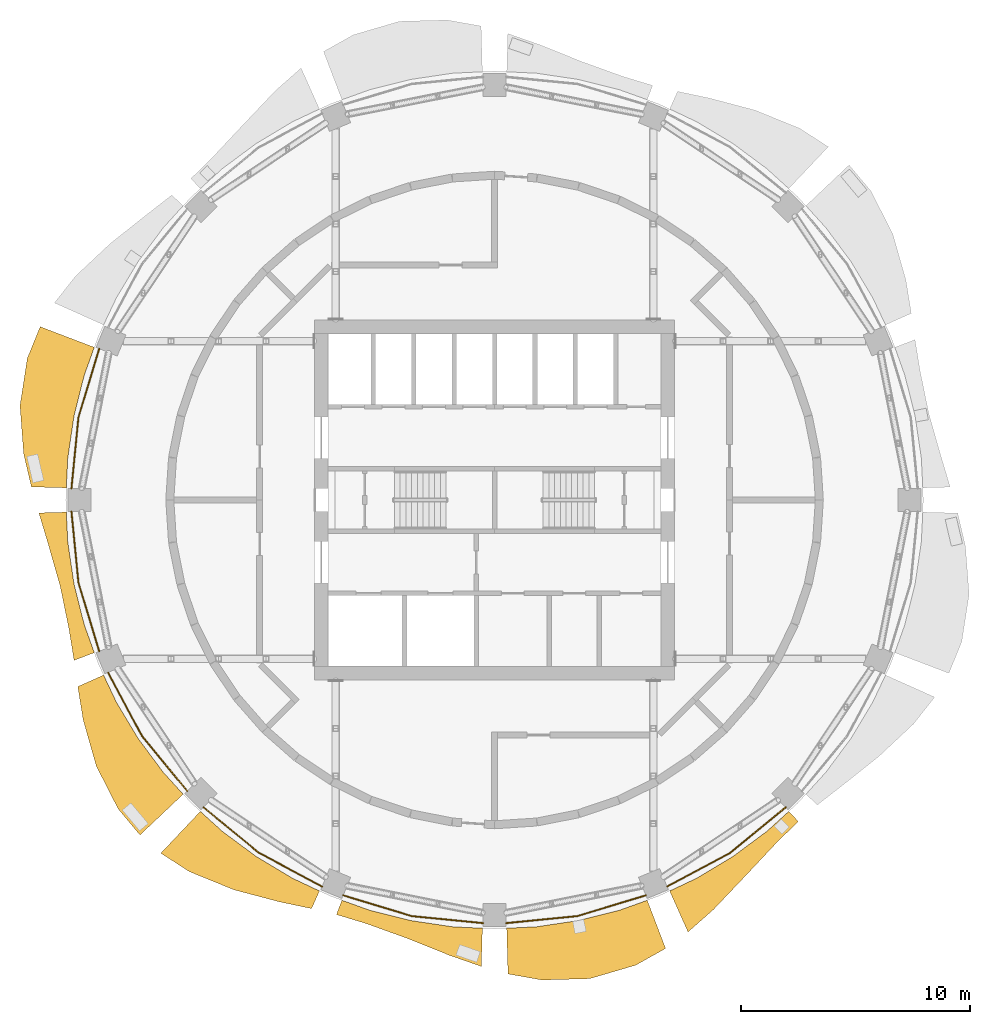
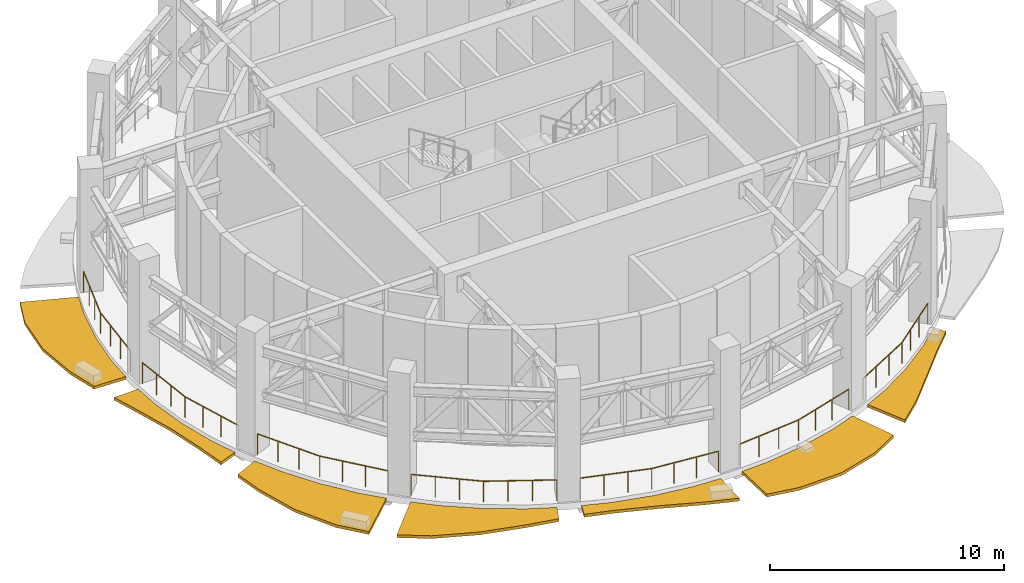
# One storey, part 11 of 14: 7 railings, 7 shading devices.
"""IFC4 building model written with IfcOpenShell, lengths in metres."""

import ifcopenshell
import ifcopenshell.guid

model = None  # the IFC model being written
_history = None  # IfcOwnerHistory: only IFC2X3 demands one
_inside = {}  # id of a spatial element -> (the spatial element, [elements in it])
_under = {}  # id of a project, library or spatial element -> (it, [spatial elements below it])
_declared = {}  # id of a project -> (the project, [libraries it declares])
_typed = {}  # id of a type object -> (the type object, [elements of that type])
_made_of = {}  # id of a material, layer set ... -> (it, [elements and type objects made of it])


def new_model(schema):
    """Start an empty IFC model of exactly this schema.

    Asked for "IFC4X3", IfcOpenShell would pick the latest addendum, in which some entities
    have other attributes; the version numbers below select the first issue.
    IFC2X3 requires an IfcOwnerHistory on every rooted entity: one is made here for all.
    """
    global model, _history
    if schema == "IFC4X3":
        model = ifcopenshell.file(schema_version=(4, 3, 0, 0))
    else:
        model = ifcopenshell.file(schema=schema)
    _inside.clear()
    _under.clear()
    _declared.clear()
    _typed.clear()
    _made_of.clear()
    _history = None
    if model.schema == "IFC2X3":
        org = make("IfcOrganization", Name="unknown")
        user = make(
            "IfcPersonAndOrganization",
            ThePerson=make("IfcPerson", FamilyName="unknown"),
            TheOrganization=org,
        )
        app = make(
            "IfcApplication",
            ApplicationDeveloper=org,
            Version="unknown",
            ApplicationFullName="unknown",
            ApplicationIdentifier="unknown",
        )
        _history = make(
            "IfcOwnerHistory",
            OwningUser=user,
            OwningApplication=app,
            ChangeAction="ADDED",
            CreationDate=0,
        )
    return model


def make(cls, **values):
    """One entity of the class cls with the attributes given. An attribute that is None is left unset."""
    return model.create_entity(
        cls, **{name: value for name, value in values.items() if value is not None}
    )


def rooted(cls, **values):
    """An entity with a GlobalId (a new one), such as an element, a storey or a relation."""
    return make(cls, GlobalId=ifcopenshell.guid.new(), OwnerHistory=_history, **values)


def si_unit(unit_type, name, prefix=None):
    """IfcSIUnit, for example si_unit("LENGTHUNIT", "METRE", prefix="MILLI")."""
    return make("IfcSIUnit", UnitType=unit_type, Prefix=prefix, Name=name)


def assignment(units):
    """IfcUnitAssignment: the units of a project."""
    return None if units is None else make("IfcUnitAssignment", Units=units)


def point(xyz):
    """IfcCartesianPoint."""
    return None if xyz is None else make("IfcCartesianPoint", Coordinates=xyz)


def direction(xyz):
    """IfcDirection."""
    return None if xyz is None else make("IfcDirection", DirectionRatios=xyz)


def frame(location, z_axis=None, x_axis=None):
    """IfcAxis2Placement3D, a coordinate frame: its origin and axes. An axis left out is left unset."""
    return make(
        "IfcAxis2Placement3D",
        Location=point(location),
        Axis=direction(z_axis),
        RefDirection=direction(x_axis),
    )


def frame_2d(location, x_axis=None):
    """IfcAxis2Placement2D, a coordinate frame in the plane: its origin and x axis."""
    return make(
        "IfcAxis2Placement2D", Location=point(location), RefDirection=direction(x_axis)
    )


def origin():
    """The frame at (0, 0, 0) with its axes left unset."""
    return frame((0.0, 0.0, 0.0))


def origin_2d():
    """The frame at (0, 0) in the plane with its x axis left unset."""
    return frame_2d((0.0, 0.0))


def place(relative_to, where):
    """IfcLocalPlacement: puts the frame where relative to a parent placement (None: the world)."""
    return make(
        "IfcLocalPlacement", PlacementRelTo=relative_to, RelativePlacement=where
    )


def context(
    kind, dimensions, precision=None, world=None, true_north=None, identifier=None
):
    """IfcGeometricRepresentationContext, for example the 3D "Model" context."""
    return make(
        "IfcGeometricRepresentationContext",
        ContextIdentifier=identifier,
        ContextType=kind,
        CoordinateSpaceDimension=dimensions,
        Precision=precision,
        WorldCoordinateSystem=world,
        TrueNorth=true_north,
    )


def subcontext(parent, identifier, kind, view, scale=None):
    """IfcGeometricRepresentationSubContext, for example "Body" below "Model"."""
    return make(
        "IfcGeometricRepresentationSubContext",
        ContextIdentifier=identifier,
        ContextType=kind,
        ParentContext=parent,
        TargetScale=scale,
        TargetView=view,
    )


def project(units=None, contexts=None):
    """IfcProject with its units and contexts."""
    return rooted(
        "IfcProject",
        Name="project",
        RepresentationContexts=contexts,
        UnitsInContext=assignment(units),
    )


def spatial(cls, under=None, at=None, **own):
    """A site, building, storey or space (cls), placed at a placement, below another one or the project."""
    s = rooted(cls, ObjectPlacement=at, **own)
    if under is not None:
        _under.setdefault(under.id(), (under, []))[1].append(s)
    return s


def polyline(points):
    """IfcPolyline through the points."""
    return make("IfcPolyline", Points=[point(p) for p in points])


def profile(cls, at=None, kind="AREA", **sizes):
    """A parametric profile (cls). Its sizes go by their IFC names, for example OverallWidth=200.0."""
    return make(cls, ProfileType=kind, Position=at, **sizes)


def circle(**sizes):
    """IfcCircleProfileDef."""
    return profile("IfcCircleProfileDef", **sizes)


def outline(outer, holes=None, kind="AREA"):
    """IfcArbitraryClosedProfileDef: a profile drawn as a closed curve; with holes, ...WithVoids."""
    if holes is None:
        return make("IfcArbitraryClosedProfileDef", ProfileType=kind, OuterCurve=outer)
    return make(
        "IfcArbitraryProfileDefWithVoids",
        ProfileType=kind,
        OuterCurve=outer,
        InnerCurves=holes,
    )


def extrude(swept, where, along, depth):
    """IfcExtrudedAreaSolid: the profile swept, set in the frame where, extruded along a direction by depth."""
    return make(
        "IfcExtrudedAreaSolid",
        SweptArea=swept,
        Position=where,
        ExtrudedDirection=direction(along),
        Depth=depth,
    )


def shape(context_of_items, identifier, shape_type, items):
    """IfcShapeRepresentation: the items that make up one representation, for example the "Body"."""
    return make(
        "IfcShapeRepresentation",
        ContextOfItems=context_of_items,
        RepresentationIdentifier=identifier,
        RepresentationType=shape_type,
        Items=items,
    )


def material(Name=None, Category=None):
    """IfcMaterial."""
    return make("IfcMaterial", Name=Name, Category=Category)


def made_of(thing, what):
    """Note that an element or type object is made of a material, layer set ...; save() writes the relation."""
    if what is not None:
        _made_of.setdefault(what.id(), (what, []))[1].append(thing)
    return thing


def type_object(cls, material=None, **own):
    """A type object (cls), such as IfcWallType, which elements share."""
    return made_of(rooted(cls, **own), material)


def element(
    cls,
    number,
    at=None,
    inside=None,
    cuts=None,
    type_object=None,
    material=None,
    context=None,
    identifier="Body",
    shape_type=None,
    held_by="IfcProductDefinitionShape",
    body=None,
    shapes=None,
    **own,
):
    """One element of the class cls, such as IfcWall. Its Tag is "e" and its number.

    at: its placement. inside: the storey or other place that contains it. cuts: it is an
    opening in that element (IfcRelVoidsElement). A single representation is given by context,
    identifier, shape_type and body (its items); several are given by shapes. held_by: the class
    of the entity that holds the representations. save() writes the other relations.
    """
    e = rooted(cls, Tag="e%d" % number, ObjectPlacement=at, **own)
    if body is not None:
        shapes = [shape(context, identifier, shape_type, body)]
    if shapes is not None:
        e.Representation = make(held_by, Representations=shapes)
    if inside is not None:
        _inside.setdefault(inside.id(), (inside, []))[1].append(e)
    if cuts is not None:
        rooted(
            "IfcRelVoidsElement", RelatingBuildingElement=cuts, RelatedOpeningElement=e
        )
    if type_object is not None:
        _typed.setdefault(type_object.id(), (type_object, []))[1].append(e)
    return made_of(e, material)


def aggregate(whole, parts):
    """IfcRelAggregates: a whole, such as a stair, and the parts it consists of."""
    return rooted("IfcRelAggregates", RelatingObject=whole, RelatedObjects=parts)


def save(model, path):
    """Write the relations noted so far, then the file.

    IfcRelAggregates (storeys below a building ...), IfcRelContainedInSpatialStructure (elements
    in a storey), IfcRelDefinesByType, IfcRelAssociatesMaterial and IfcRelDeclares: one each for
    every whole, place, type object, material and project.
    """
    for whole, parts in _under.values():
        aggregate(whole, parts)
    for where, things in _inside.values():
        rooted(
            "IfcRelContainedInSpatialStructure",
            RelatedElements=things,
            RelatingStructure=where,
        )
    for kind, things in _typed.values():
        rooted("IfcRelDefinesByType", RelatedObjects=things, RelatingType=kind)
    for what, things in _made_of.values():
        rooted("IfcRelAssociatesMaterial", RelatedObjects=things, RelatingMaterial=what)
    for by, libraries in _declared.values():
        rooted("IfcRelDeclares", RelatingContext=by, RelatedDefinitions=libraries)
    model.write(path)


model = new_model("IFC4")

# Units and contexts
model_context = context("Model", 3, precision=1e-05, world=origin(), true_north=direction((0.0, 1.0)))
body_context = subcontext(model_context, "Body", "Model", "MODEL_VIEW")
ifc_project = project(units=[si_unit("LENGTHUNIT", "METRE"), si_unit("AREAUNIT", "SQUARE_METRE"), si_unit("VOLUMEUNIT", "CUBIC_METRE"), si_unit("PLANEANGLEUNIT", "RADIAN"), si_unit("MASSUNIT", "GRAM", prefix="KILO")], contexts=[model_context])

# Site, building, storey
site_placement = place(None, origin())
site = spatial("IfcSite", under=ifc_project, at=site_placement, CompositionType="ELEMENT")
building_placement = place(site_placement, origin())
building = spatial("IfcBuilding", under=site, at=building_placement, Name="Polderwave Tower", CompositionType="ELEMENT")
storey_placement = place(building_placement, frame((0.0, 0.0, 161.14990234375)))
storey = spatial("IfcBuildingStorey", under=building, at=storey_placement, Name="L43", CompositionType="ELEMENT", Elevation=161.14990234375)

# Shading devices
ifc_material_1 = material(Name="Terracotta", Category="masonry")
shading_device_type = type_object("IfcShadingDeviceType", Name="Terracotta sunshade band", PredefinedType="USERDEFINED", material=ifc_material_1)
shading_device_1_placement = place(storey_placement, frame((0.0, 0.0, -0.349853515625)))
element("IfcShadingDevice", 1, at=shading_device_1_placement, inside=storey, type_object=shading_device_type, Name="Sunshade band L43 8", ObjectType="SUNSHADE", PredefinedType="USERDEFINED", context=body_context, shape_type="SweptSolid", body=[
    extrude(outline(polyline([(-17.501708984375, 6.67529296875), (-17.942626953125, 5.44287109375), (-18.3896484375, 3.657958984375), (-18.65966796875, 1.837890625), (-18.723876953125, 0.530517578125), (-20.251708984375, 0.57373046875), (-20.5908203125, 2.028076171875), (-20.7490234375, 4.127197265625), (-20.4296875, 6.197265625), (-19.866455078125, 7.5771484375), (-17.501708984375, 6.67529296875)])), origin(), (0.0, 0.0, 1.0), 0.14990234375),
])
shading_device_2_placement = place(storey_placement, frame((0.0, 0.0, -0.349853515625)))
element("IfcShadingDevice", 2, at=shading_device_2_placement, inside=storey, type_object=shading_device_type, Name="Sunshade band L43 9", ObjectType="SUNSHADE", PredefinedType="USERDEFINED", context=body_context, shape_type="SweptSolid", body=[
    extrude(outline(polyline([(-18.723876953125, -0.530517578125), (-18.65966796875, -1.837890625), (-18.3896484375, -3.657958984375), (-17.942626953125, -5.44287109375), (-17.501708984375, -6.67529296875), (-18.385009765625, -7.01220703125), (-18.607177734375, -5.644287109375), (-18.989501953125, -3.777099609375), (-19.51708984375, -1.92236328125), (-19.923583984375, -0.564453125), (-18.723876953125, -0.530517578125)])), origin(), (0.0, 0.0, 1.0), 0.14990234375),
])
shading_device_3_placement = place(storey_placement, frame((0.0, 0.0, -0.349853515625)))
element("IfcShadingDevice", 3, at=shading_device_3_placement, inside=storey, type_object=shading_device_type, Name="Sunshade band L43 10", ObjectType="SUNSHADE", PredefinedType="USERDEFINED", context=body_context, shape_type="SweptSolid", body=[
    extrude(outline(polyline([(-17.095703125, -7.655517578125), (-16.535888671875, -8.838623046875), (-15.590087890625, -10.4169921875), (-14.493896484375, -11.89501953125), (-13.614990234375, -12.86474609375), (-15.502685546875, -14.648681640625), (-16.45751953125, -13.50634765625), (-17.4130859375, -11.635009765625), (-17.987060546875, -9.6142578125), (-18.22265625, -8.159912109375), (-17.095703125, -7.655517578125)])), origin(), (0.0, 0.0, 1.0), 0.14990234375),
])
shading_device_4_placement = place(storey_placement, frame((0.0, 0.0, -0.349853515625)))
element("IfcShadingDevice", 4, at=shading_device_4_placement, inside=storey, type_object=shading_device_type, Name="Sunshade band L43 11", ObjectType="SUNSHADE", PredefinedType="USERDEFINED", context=body_context, shape_type="SweptSolid", body=[
    extrude(outline(polyline([(-12.86474609375, -13.614990234375), (-11.89501953125, -14.493896484375), (-10.4169921875, -15.590087890625), (-8.838623046875, -16.535888671875), (-7.655517578125, -17.095703125), (-8.00048828125, -17.8662109375), (-9.39306640625, -17.572998046875), (-11.389404296875, -17.045654296875), (-13.337890625, -16.252197265625), (-14.593017578125, -15.444091796875), (-12.86474609375, -13.614990234375)])), origin(), (0.0, 0.0, 1.0), 0.14990234375),
])
shading_device_5_placement = place(storey_placement, frame((0.0, 0.0, -0.349853515625)))
element("IfcShadingDevice", 5, at=shading_device_5_placement, inside=storey, type_object=shading_device_type, Name="Sunshade band L43 12", ObjectType="SUNSHADE", PredefinedType="USERDEFINED", context=body_context, shape_type="SweptSolid", body=[
    extrude(outline(polyline([(-6.67529296875, -17.501708984375), (-5.44287109375, -17.942626953125), (-3.657958984375, -18.3896484375), (-1.837890625, -18.65966796875), (-0.530517578125, -18.723876953125), (-0.577880859375, -20.394775390625), (-1.961181640625, -19.9130859375), (-3.81298828125, -19.1689453125), (-5.6171875, -18.517822265625), (-6.913818359375, -18.126708984375), (-6.67529296875, -17.501708984375)])), origin(), (0.0, 0.0, 1.0), 0.14990234375),
])
shading_device_6_placement = place(storey_placement, frame((0.0, 0.0, -0.349853515625)))
element("IfcShadingDevice", 6, at=shading_device_6_placement, inside=storey, type_object=shading_device_type, Name="Sunshade band L43 13", ObjectType="SUNSHADE", PredefinedType="USERDEFINED", context=body_context, shape_type="SweptSolid", body=[
    extrude(outline(polyline([(0.530517578125, -18.723876953125), (1.837890625, -18.65966796875), (3.657958984375, -18.3896484375), (5.44287109375, -17.942626953125), (6.67529296875, -17.501708984375), (7.478759765625, -19.6083984375), (6.170166015625, -20.34033203125), (4.1630859375, -20.9287109375), (2.06689453125, -20.98681640625), (0.587158203125, -20.72314453125), (0.530517578125, -18.723876953125)])), origin(), (0.0, 0.0, 1.0), 0.14990234375),
])
shading_device_7_placement = place(storey_placement, frame((0.0, 0.0, -0.349853515625)))
element("IfcShadingDevice", 7, at=shading_device_7_placement, inside=storey, type_object=shading_device_type, Name="Sunshade band L43 14", ObjectType="SUNSHADE", PredefinedType="USERDEFINED", context=body_context, shape_type="SweptSolid", body=[
    extrude(outline(polyline([(7.655517578125, -17.095703125), (8.838623046875, -16.535888671875), (10.4169921875, -15.590087890625), (11.89501953125, -14.493896484375), (12.86474609375, -13.614990234375), (13.278564453125, -14.052978515625), (12.3134765625, -15.00390625), (10.9765625, -16.427734375), (9.571533203125, -17.9072265625), (8.45849609375, -18.889404296875), (7.655517578125, -17.095703125)])), origin(), (0.0, 0.0, 1.0), 0.14990234375),
])

# Railings
ifc_material_2 = material(Name="Stainless steel 316", Category="steel")
railing_type = type_object("IfcRailingType", Name="Wind floor guard 1100", PredefinedType="GUARDRAIL", material=ifc_material_2)
railing_1_placement = place(storey_placement, frame((-17.28369140625, 6.617919921875, 0.0)))
element("IfcRailing", 8, at=railing_1_placement, inside=storey, type_object=railing_type, Name="Wind floor guard L43 8", PredefinedType="GUARDRAIL", context=body_context, shape_type="SweptSolid", body=[
    extrude(circle(Radius=0.02490234375, at=origin_2d()), frame((0.0, 0.0, 1.0751953125), z_axis=(-0.290333851442, -0.956925417526, 0.0), x_axis=(0.956925417526, -0.290333851442, 0.0)), (0.0, 0.0, 1.0), 3.134033203125),
    extrude(circle(Radius=0.02490234375, at=origin_2d()), frame((-0.909912109375, -2.9990234375, 1.0751953125), z_axis=(-0.097999574358, -0.995186456613, 0.0), x_axis=(0.995186456613, -0.097999574358, 0.0)), (0.0, 0.0, 1.0), 3.134033203125),
    extrude(circle(Radius=0.02001953125, at=origin_2d()), origin(), (0.0, 0.0, 1.0), 1.050048828125),
    extrude(circle(Radius=0.02001953125, at=origin_2d()), frame((-0.30322265625, -0.999755859375, 0.0)), (0.0, 0.0, 1.0), 1.050048828125),
    extrude(circle(Radius=0.02001953125, at=origin_2d()), frame((-0.606689453125, -1.999267578125, 0.0)), (0.0, 0.0, 1.0), 1.050048828125),
    extrude(circle(Radius=0.02001953125, at=origin_2d()), frame((-0.909912109375, -2.9990234375, 0.0)), (0.0, 0.0, 1.0), 1.050048828125),
    extrude(circle(Radius=0.02001953125, at=origin_2d()), frame((-1.01220703125, -4.03857421875, 0.0)), (0.0, 0.0, 1.0), 1.050048828125),
    extrude(circle(Radius=0.02001953125, at=origin_2d()), frame((-1.11474609375, -5.078369140625, 0.0)), (0.0, 0.0, 1.0), 1.050048828125),
    extrude(circle(Radius=0.02001953125, at=origin_2d()), frame((-1.217041015625, -6.117919921875, 0.0)), (0.0, 0.0, 1.0), 1.050048828125),
])
railing_2_placement = place(storey_placement, frame((-18.500732421875, -0.5, 0.0)))
element("IfcRailing", 9, at=railing_2_placement, inside=storey, type_object=railing_type, Name="Wind floor guard L43 9", PredefinedType="GUARDRAIL", context=body_context, shape_type="SweptSolid", body=[
    extrude(circle(Radius=0.02490234375, at=origin_2d()), frame((0.0, 0.0, 1.0751953125), z_axis=(0.097999574358, -0.995186456613, 0.0), x_axis=(0.995186456613, 0.097999574358, 0.0)), (0.0, 0.0, 1.0), 3.134033203125),
    extrude(circle(Radius=0.02490234375, at=origin_2d()), frame((0.30712890625, -3.118896484375, 1.0751953125), z_axis=(0.290333851442, -0.956925417526, 0.0), x_axis=(0.956925417526, 0.290333851442, 0.0)), (0.0, 0.0, 1.0), 3.134033203125),
    extrude(circle(Radius=0.02001953125, at=origin_2d()), origin(), (0.0, 0.0, 1.0), 1.050048828125),
    extrude(circle(Radius=0.02001953125, at=origin_2d()), frame((0.102294921875, -1.03955078125, 0.0)), (0.0, 0.0, 1.0), 1.050048828125),
    extrude(circle(Radius=0.02001953125, at=origin_2d()), frame((0.204833984375, -2.079345703125, 0.0)), (0.0, 0.0, 1.0), 1.050048828125),
    extrude(circle(Radius=0.02001953125, at=origin_2d()), frame((0.30712890625, -3.118896484375, 0.0)), (0.0, 0.0, 1.0), 1.050048828125),
    extrude(circle(Radius=0.02001953125, at=origin_2d()), frame((0.6103515625, -4.11865234375, 0.0)), (0.0, 0.0, 1.0), 1.050048828125),
    extrude(circle(Radius=0.02001953125, at=origin_2d()), frame((0.913818359375, -5.1181640625, 0.0)), (0.0, 0.0, 1.0), 1.050048828125),
    extrude(circle(Radius=0.02001953125, at=origin_2d()), frame((1.217041015625, -6.117919921875, 0.0)), (0.0, 0.0, 1.0), 1.050048828125),
])
railing_3_placement = place(storey_placement, frame((-16.901123046875, -7.5419921875, 0.0)))
element("IfcRailing", 10, at=railing_3_placement, inside=storey, type_object=railing_type, Name="Wind floor guard L43 10", PredefinedType="GUARDRAIL", context=body_context, shape_type="SweptSolid", body=[
    extrude(circle(Radius=0.02490234375, at=origin_2d()), frame((0.0, 0.0, 1.0751953125), z_axis=(0.471384584046, -0.881927760037, 0.0), x_axis=(0.881927760037, 0.471384584046, 0.0)), (0.0, 0.0, 1.0), 3.134033203125),
    extrude(circle(Radius=0.02490234375, at=origin_2d()), frame((1.477294921875, -2.763916015625, 1.0751953125), z_axis=(0.634412106208, -0.772995006127, 0.0), x_axis=(0.772995006127, 0.634412106208, 0.0)), (0.0, 0.0, 1.0), 3.134033203125),
    extrude(circle(Radius=0.02001953125, at=origin_2d()), origin(), (0.0, 0.0, 1.0), 1.050048828125),
    extrude(circle(Radius=0.02001953125, at=origin_2d()), frame((0.492431640625, -0.92138671875, 0.0)), (0.0, 0.0, 1.0), 1.050048828125),
    extrude(circle(Radius=0.02001953125, at=origin_2d()), frame((0.98486328125, -1.842529296875, 0.0)), (0.0, 0.0, 1.0), 1.050048828125),
    extrude(circle(Radius=0.02001953125, at=origin_2d()), frame((1.477294921875, -2.763916015625, 0.0)), (0.0, 0.0, 1.0), 1.050048828125),
    extrude(circle(Radius=0.02001953125, at=origin_2d()), frame((2.14013671875, -3.571533203125, 0.0)), (0.0, 0.0, 1.0), 1.050048828125),
    extrude(circle(Radius=0.02001953125, at=origin_2d()), frame((2.802734375, -4.37890625, 0.0)), (0.0, 0.0, 1.0), 1.050048828125),
    extrude(circle(Radius=0.02001953125, at=origin_2d()), frame((3.465576171875, -5.1865234375, 0.0)), (0.0, 0.0, 1.0), 1.050048828125),
])
railing_4_placement = place(storey_placement, frame((-12.728515625, -13.435546875, 0.0)))
element("IfcRailing", 11, at=railing_4_placement, inside=storey, type_object=railing_type, Name="Wind floor guard L43 11", PredefinedType="GUARDRAIL", context=body_context, shape_type="SweptSolid", body=[
    extrude(circle(Radius=0.02490234375, at=origin_2d()), frame((0.0, 0.0, 1.0751953125), z_axis=(0.772995006127, -0.634412106208, 0.0), x_axis=(0.634412106208, 0.772995006127, 0.0)), (0.0, 0.0, 1.0), 3.134033203125),
    extrude(circle(Radius=0.02490234375, at=origin_2d()), frame((2.422607421875, -1.98828125, 1.0751953125), z_axis=(0.881927760037, -0.471384584046, 0.0), x_axis=(0.471384584046, 0.881927760037, 0.0)), (0.0, 0.0, 1.0), 3.134033203125),
    extrude(circle(Radius=0.02001953125, at=origin_2d()), origin(), (0.0, 0.0, 1.0), 1.050048828125),
    extrude(circle(Radius=0.02001953125, at=origin_2d()), frame((0.8076171875, -0.662841796875, 0.0)), (0.0, 0.0, 1.0), 1.050048828125),
    extrude(circle(Radius=0.02001953125, at=origin_2d()), frame((1.614990234375, -1.325439453125, 0.0)), (0.0, 0.0, 1.0), 1.050048828125),
    extrude(circle(Radius=0.02001953125, at=origin_2d()), frame((2.422607421875, -1.98828125, 0.0)), (0.0, 0.0, 1.0), 1.050048828125),
    extrude(circle(Radius=0.02001953125, at=origin_2d()), frame((3.343994140625, -2.480712890625, 0.0)), (0.0, 0.0, 1.0), 1.050048828125),
    extrude(circle(Radius=0.02001953125, at=origin_2d()), frame((4.26513671875, -2.97314453125, 0.0)), (0.0, 0.0, 1.0), 1.050048828125),
    extrude(circle(Radius=0.02001953125, at=origin_2d()), frame((5.1865234375, -3.465576171875, 0.0)), (0.0, 0.0, 1.0), 1.050048828125),
])
railing_5_placement = place(storey_placement, frame((-6.617919921875, -17.28369140625, 0.0)))
element("IfcRailing", 12, at=railing_5_placement, inside=storey, type_object=railing_type, Name="Wind floor guard L43 12", PredefinedType="GUARDRAIL", context=body_context, shape_type="SweptSolid", body=[
    extrude(circle(Radius=0.02490234375, at=origin_2d()), frame((0.0, 0.0, 1.0751953125), z_axis=(0.956925417526, -0.290333851442, 0.0), x_axis=(0.290333851442, 0.956925417526, 0.0)), (0.0, 0.0, 1.0), 3.134033203125),
    extrude(circle(Radius=0.02490234375, at=origin_2d()), frame((2.9990234375, -0.909912109375, 1.0751953125), z_axis=(0.995186456613, -0.097999574358, 0.0), x_axis=(0.097999574358, 0.995186456613, 0.0)), (0.0, 0.0, 1.0), 3.134033203125),
    extrude(circle(Radius=0.02001953125, at=origin_2d()), origin(), (0.0, 0.0, 1.0), 1.050048828125),
    extrude(circle(Radius=0.02001953125, at=origin_2d()), frame((0.999755859375, -0.30322265625, 0.0)), (0.0, 0.0, 1.0), 1.050048828125),
    extrude(circle(Radius=0.02001953125, at=origin_2d()), frame((1.999267578125, -0.606689453125, 0.0)), (0.0, 0.0, 1.0), 1.050048828125),
    extrude(circle(Radius=0.02001953125, at=origin_2d()), frame((2.9990234375, -0.909912109375, 0.0)), (0.0, 0.0, 1.0), 1.050048828125),
    extrude(circle(Radius=0.02001953125, at=origin_2d()), frame((4.03857421875, -1.01220703125, 0.0)), (0.0, 0.0, 1.0), 1.050048828125),
    extrude(circle(Radius=0.02001953125, at=origin_2d()), frame((5.078369140625, -1.11474609375, 0.0)), (0.0, 0.0, 1.0), 1.050048828125),
    extrude(circle(Radius=0.02001953125, at=origin_2d()), frame((6.117919921875, -1.217041015625, 0.0)), (0.0, 0.0, 1.0), 1.050048828125),
])
railing_6_placement = place(storey_placement, frame((0.5, -18.500732421875, 0.0)))
element("IfcRailing", 13, at=railing_6_placement, inside=storey, type_object=railing_type, Name="Wind floor guard L43 13", PredefinedType="GUARDRAIL", context=body_context, shape_type="SweptSolid", body=[
    extrude(circle(Radius=0.02490234375, at=origin_2d()), frame((0.0, 0.0, 1.0751953125), z_axis=(0.995186456613, 0.097999574358, 0.0), x_axis=(-0.097999574358, 0.995186456613, 0.0)), (0.0, 0.0, 1.0), 3.134033203125),
    extrude(circle(Radius=0.02490234375, at=origin_2d()), frame((3.118896484375, 0.30712890625, 1.0751953125), z_axis=(0.956925417526, 0.290333851442, 0.0), x_axis=(-0.290333851442, 0.956925417526, 0.0)), (0.0, 0.0, 1.0), 3.134033203125),
    extrude(circle(Radius=0.02001953125, at=origin_2d()), origin(), (0.0, 0.0, 1.0), 1.050048828125),
    extrude(circle(Radius=0.02001953125, at=origin_2d()), frame((1.03955078125, 0.102294921875, 0.0)), (0.0, 0.0, 1.0), 1.050048828125),
    extrude(circle(Radius=0.02001953125, at=origin_2d()), frame((2.079345703125, 0.204833984375, 0.0)), (0.0, 0.0, 1.0), 1.050048828125),
    extrude(circle(Radius=0.02001953125, at=origin_2d()), frame((3.118896484375, 0.30712890625, 0.0)), (0.0, 0.0, 1.0), 1.050048828125),
    extrude(circle(Radius=0.02001953125, at=origin_2d()), frame((4.11865234375, 0.6103515625, 0.0)), (0.0, 0.0, 1.0), 1.050048828125),
    extrude(circle(Radius=0.02001953125, at=origin_2d()), frame((5.1181640625, 0.913818359375, 0.0)), (0.0, 0.0, 1.0), 1.050048828125),
    extrude(circle(Radius=0.02001953125, at=origin_2d()), frame((6.117919921875, 1.217041015625, 0.0)), (0.0, 0.0, 1.0), 1.050048828125),
])
railing_7_placement = place(storey_placement, frame((7.5419921875, -16.901123046875, 0.0)))
element("IfcRailing", 14, at=railing_7_placement, inside=storey, type_object=railing_type, Name="Wind floor guard L43 14", PredefinedType="GUARDRAIL", context=body_context, shape_type="SweptSolid", body=[
    extrude(circle(Radius=0.02490234375, at=origin_2d()), frame((0.0, 0.0, 1.0751953125), z_axis=(0.881927760037, 0.471384584046, 0.0), x_axis=(-0.471384584046, 0.881927760037, 0.0)), (0.0, 0.0, 1.0), 3.134033203125),
    extrude(circle(Radius=0.02490234375, at=origin_2d()), frame((2.763916015625, 1.477294921875, 1.0751953125), z_axis=(0.772995006127, 0.634412106208, 0.0), x_axis=(-0.634412106208, 0.772995006127, 0.0)), (0.0, 0.0, 1.0), 3.134033203125),
    extrude(circle(Radius=0.02001953125, at=origin_2d()), origin(), (0.0, 0.0, 1.0), 1.050048828125),
    extrude(circle(Radius=0.02001953125, at=origin_2d()), frame((0.92138671875, 0.492431640625, 0.0)), (0.0, 0.0, 1.0), 1.050048828125),
    extrude(circle(Radius=0.02001953125, at=origin_2d()), frame((1.842529296875, 0.98486328125, 0.0)), (0.0, 0.0, 1.0), 1.050048828125),
    extrude(circle(Radius=0.02001953125, at=origin_2d()), frame((2.763916015625, 1.477294921875, 0.0)), (0.0, 0.0, 1.0), 1.050048828125),
    extrude(circle(Radius=0.02001953125, at=origin_2d()), frame((3.571533203125, 2.14013671875, 0.0)), (0.0, 0.0, 1.0), 1.050048828125),
    extrude(circle(Radius=0.02001953125, at=origin_2d()), frame((4.37890625, 2.802734375, 0.0)), (0.0, 0.0, 1.0), 1.050048828125),
    extrude(circle(Radius=0.02001953125, at=origin_2d()), frame((5.1865234375, 3.465576171875, 0.0)), (0.0, 0.0, 1.0), 1.050048828125),
])

save(model, "model.ifc")
